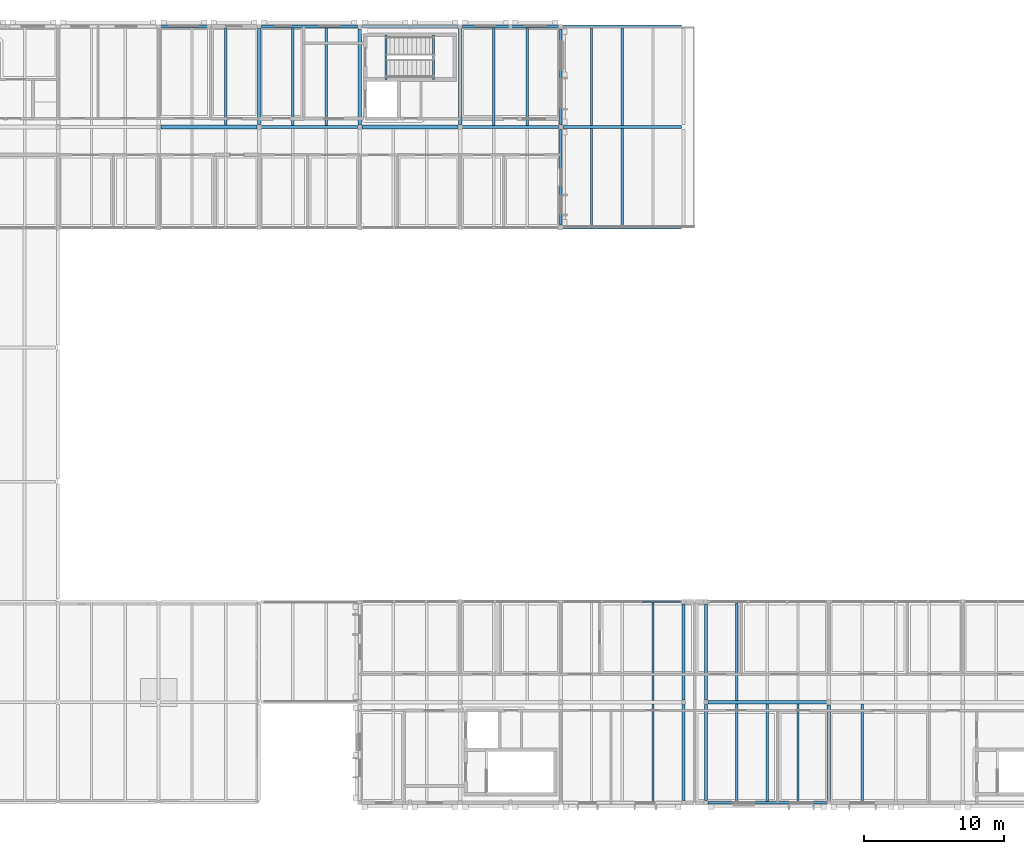
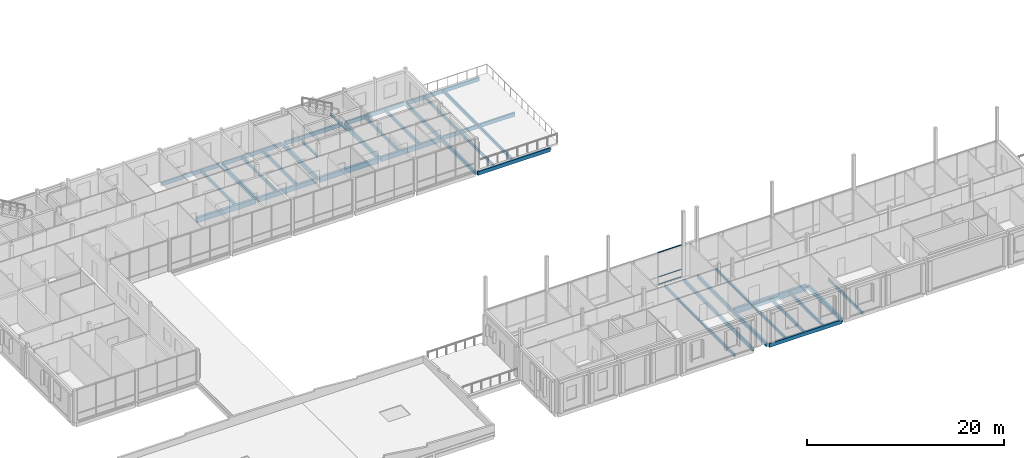
# One storey, part 19 of 57: 41 beams, 3 members, 1 element without a shape of its own.
"""IFC4 building model written with IfcOpenShell, lengths in metres."""

import ifcopenshell
import ifcopenshell.guid

model = None  # the IFC model being written
_history = None  # IfcOwnerHistory: only IFC2X3 demands one
_inside = {}  # id of a spatial element -> (the spatial element, [elements in it])
_under = {}  # id of a project, library or spatial element -> (it, [spatial elements below it])
_declared = {}  # id of a project -> (the project, [libraries it declares])
_typed = {}  # id of a type object -> (the type object, [elements of that type])
_made_of = {}  # id of a material, layer set ... -> (it, [elements and type objects made of it])


def new_model(schema):
    """Start an empty IFC model of exactly this schema.

    Asked for "IFC4X3", IfcOpenShell would pick the latest addendum, in which some entities
    have other attributes; the version numbers below select the first issue.
    IFC2X3 requires an IfcOwnerHistory on every rooted entity: one is made here for all.
    """
    global model, _history
    if schema == "IFC4X3":
        model = ifcopenshell.file(schema_version=(4, 3, 0, 0))
    else:
        model = ifcopenshell.file(schema=schema)
    _inside.clear()
    _under.clear()
    _declared.clear()
    _typed.clear()
    _made_of.clear()
    _history = None
    if model.schema == "IFC2X3":
        org = make("IfcOrganization", Name="unknown")
        user = make(
            "IfcPersonAndOrganization",
            ThePerson=make("IfcPerson", FamilyName="unknown"),
            TheOrganization=org,
        )
        app = make(
            "IfcApplication",
            ApplicationDeveloper=org,
            Version="unknown",
            ApplicationFullName="unknown",
            ApplicationIdentifier="unknown",
        )
        _history = make(
            "IfcOwnerHistory",
            OwningUser=user,
            OwningApplication=app,
            ChangeAction="ADDED",
            CreationDate=0,
        )
    return model


def make(cls, **values):
    """One entity of the class cls with the attributes given. An attribute that is None is left unset."""
    return model.create_entity(
        cls, **{name: value for name, value in values.items() if value is not None}
    )


def rooted(cls, **values):
    """An entity with a GlobalId (a new one), such as an element, a storey or a relation."""
    return make(cls, GlobalId=ifcopenshell.guid.new(), OwnerHistory=_history, **values)


def si_unit(unit_type, name, prefix=None):
    """IfcSIUnit, for example si_unit("LENGTHUNIT", "METRE", prefix="MILLI")."""
    return make("IfcSIUnit", UnitType=unit_type, Prefix=prefix, Name=name)


def assignment(units):
    """IfcUnitAssignment: the units of a project."""
    return None if units is None else make("IfcUnitAssignment", Units=units)


def point(xyz):
    """IfcCartesianPoint."""
    return None if xyz is None else make("IfcCartesianPoint", Coordinates=xyz)


def direction(xyz):
    """IfcDirection."""
    return None if xyz is None else make("IfcDirection", DirectionRatios=xyz)


def frame(location, z_axis=None, x_axis=None):
    """IfcAxis2Placement3D, a coordinate frame: its origin and axes. An axis left out is left unset."""
    return make(
        "IfcAxis2Placement3D",
        Location=point(location),
        Axis=direction(z_axis),
        RefDirection=direction(x_axis),
    )


def frame_2d(location, x_axis=None):
    """IfcAxis2Placement2D, a coordinate frame in the plane: its origin and x axis."""
    return make(
        "IfcAxis2Placement2D", Location=point(location), RefDirection=direction(x_axis)
    )


def origin():
    """The frame at (0, 0, 0) with its axes left unset."""
    return frame((0.0, 0.0, 0.0))


def origin_2d():
    """The frame at (0, 0) in the plane with its x axis left unset."""
    return frame_2d((0.0, 0.0))


def place(relative_to, where):
    """IfcLocalPlacement: puts the frame where relative to a parent placement (None: the world)."""
    return make(
        "IfcLocalPlacement", PlacementRelTo=relative_to, RelativePlacement=where
    )


def context(
    kind, dimensions, precision=None, world=None, true_north=None, identifier=None
):
    """IfcGeometricRepresentationContext, for example the 3D "Model" context."""
    return make(
        "IfcGeometricRepresentationContext",
        ContextIdentifier=identifier,
        ContextType=kind,
        CoordinateSpaceDimension=dimensions,
        Precision=precision,
        WorldCoordinateSystem=world,
        TrueNorth=true_north,
    )


def subcontext(parent, identifier, kind, view, scale=None):
    """IfcGeometricRepresentationSubContext, for example "Body" below "Model"."""
    return make(
        "IfcGeometricRepresentationSubContext",
        ContextIdentifier=identifier,
        ContextType=kind,
        ParentContext=parent,
        TargetScale=scale,
        TargetView=view,
    )


def project(units=None, contexts=None):
    """IfcProject with its units and contexts."""
    return rooted(
        "IfcProject",
        Name="project",
        RepresentationContexts=contexts,
        UnitsInContext=assignment(units),
    )


def spatial(cls, under=None, at=None, **own):
    """A site, building, storey or space (cls), placed at a placement, below another one or the project."""
    s = rooted(cls, ObjectPlacement=at, **own)
    if under is not None:
        _under.setdefault(under.id(), (under, []))[1].append(s)
    return s


def profile(cls, at=None, kind="AREA", **sizes):
    """A parametric profile (cls). Its sizes go by their IFC names, for example OverallWidth=200.0."""
    return make(cls, ProfileType=kind, Position=at, **sizes)


def rectangle(**sizes):
    """IfcRectangleProfileDef."""
    return profile("IfcRectangleProfileDef", **sizes)


def hollow_rectangle(**sizes):
    """IfcRectangleHollowProfileDef."""
    return profile("IfcRectangleHollowProfileDef", **sizes)


def i_section(**sizes):
    """IfcIShapeProfileDef."""
    return profile("IfcIShapeProfileDef", **sizes)


def extrude(swept, where, along, depth):
    """IfcExtrudedAreaSolid: the profile swept, set in the frame where, extruded along a direction by depth."""
    return make(
        "IfcExtrudedAreaSolid",
        SweptArea=swept,
        Position=where,
        ExtrudedDirection=direction(along),
        Depth=depth,
    )


def shape(context_of_items, identifier, shape_type, items):
    """IfcShapeRepresentation: the items that make up one representation, for example the "Body"."""
    return make(
        "IfcShapeRepresentation",
        ContextOfItems=context_of_items,
        RepresentationIdentifier=identifier,
        RepresentationType=shape_type,
        Items=items,
    )


def material(Name=None, Category=None):
    """IfcMaterial."""
    return make("IfcMaterial", Name=Name, Category=Category)


def material_profile(
    of_material, cross_section, Name=None, Category=None, Priority=None
):
    """IfcMaterialProfile: a cross section and its material."""
    return make(
        "IfcMaterialProfile",
        Name=Name,
        Material=of_material,
        Profile=cross_section,
        Priority=Priority,
        Category=Category,
    )


def profile_set(profiles, Name=None, composite=None):
    """IfcMaterialProfileSet."""
    return make(
        "IfcMaterialProfileSet",
        Name=Name,
        MaterialProfiles=profiles,
        CompositeProfile=composite,
    )


def made_of(thing, what):
    """Note that an element or type object is made of a material, layer set ...; save() writes the relation."""
    if what is not None:
        _made_of.setdefault(what.id(), (what, []))[1].append(thing)
    return thing


def type_object(cls, material=None, **own):
    """A type object (cls), such as IfcWallType, which elements share."""
    return made_of(rooted(cls, **own), material)


def element(
    cls,
    number,
    at=None,
    inside=None,
    cuts=None,
    type_object=None,
    material=None,
    context=None,
    identifier="Body",
    shape_type=None,
    held_by="IfcProductDefinitionShape",
    body=None,
    shapes=None,
    **own,
):
    """One element of the class cls, such as IfcWall. Its Tag is "e" and its number.

    at: its placement. inside: the storey or other place that contains it. cuts: it is an
    opening in that element (IfcRelVoidsElement). A single representation is given by context,
    identifier, shape_type and body (its items); several are given by shapes. held_by: the class
    of the entity that holds the representations. save() writes the other relations.
    """
    e = rooted(cls, Tag="e%d" % number, ObjectPlacement=at, **own)
    if body is not None:
        shapes = [shape(context, identifier, shape_type, body)]
    if shapes is not None:
        e.Representation = make(held_by, Representations=shapes)
    if inside is not None:
        _inside.setdefault(inside.id(), (inside, []))[1].append(e)
    if cuts is not None:
        rooted(
            "IfcRelVoidsElement", RelatingBuildingElement=cuts, RelatedOpeningElement=e
        )
    if type_object is not None:
        _typed.setdefault(type_object.id(), (type_object, []))[1].append(e)
    return made_of(e, material)


def aggregate(whole, parts):
    """IfcRelAggregates: a whole, such as a stair, and the parts it consists of."""
    return rooted("IfcRelAggregates", RelatingObject=whole, RelatedObjects=parts)


def save(model, path):
    """Write the relations noted so far, then the file.

    IfcRelAggregates (storeys below a building ...), IfcRelContainedInSpatialStructure (elements
    in a storey), IfcRelDefinesByType, IfcRelAssociatesMaterial and IfcRelDeclares: one each for
    every whole, place, type object, material and project.
    """
    for whole, parts in _under.values():
        aggregate(whole, parts)
    for where, things in _inside.values():
        rooted(
            "IfcRelContainedInSpatialStructure",
            RelatedElements=things,
            RelatingStructure=where,
        )
    for kind, things in _typed.values():
        rooted("IfcRelDefinesByType", RelatedObjects=things, RelatingType=kind)
    for what, things in _made_of.values():
        rooted("IfcRelAssociatesMaterial", RelatedObjects=things, RelatingMaterial=what)
    for by, libraries in _declared.values():
        rooted("IfcRelDeclares", RelatingContext=by, RelatedDefinitions=libraries)
    model.write(path)


model = new_model("IFC4")

# Units and contexts
model_context = context("Model", 3, precision=1e-05, world=origin(), true_north=direction((0.0, 1.0)))
body_context = subcontext(model_context, "Body", "Model", "MODEL_VIEW")
ifc_project = project(units=[si_unit("LENGTHUNIT", "METRE"), si_unit("AREAUNIT", "SQUARE_METRE"), si_unit("VOLUMEUNIT", "CUBIC_METRE"), si_unit("PLANEANGLEUNIT", "RADIAN"), si_unit("MASSUNIT", "GRAM", prefix="KILO")], contexts=[model_context])

# Site, building, storey
site_placement = place(None, origin())
site = spatial("IfcSite", under=ifc_project, at=site_placement, CompositionType="ELEMENT")
building_placement = place(site_placement, origin())
building = spatial("IfcBuilding", under=site, at=building_placement, Name="Hawrajan Terrace Health Centre", CompositionType="ELEMENT")
storey_placement = place(building_placement, frame((0.0, 0.0, 13.199951171875)))
storey = spatial("IfcBuildingStorey", under=building, at=storey_placement, Name="L03", CompositionType="ELEMENT", Elevation=13.199951171875)

# Curtain wall, members
ifc_material_1 = material(Name="Anodized bronze aluminium and low-E solar glazing", Category="aluminium")
curtain_wall_type = type_object("IfcCurtainWallType", Name="CW_Diagnostic_SeriesM2", PredefinedType="USERDEFINED", material=ifc_material_1)
curtain_wall_placement = place(storey_placement, origin())
curtain_wall = element("IfcCurtainWall", 1, at=curtain_wall_placement, inside=storey, type_object=curtain_wall_type, Name="Curtain wall CW-L03-168", ObjectType="UNITISED CURTAIN WALL", PredefinedType="USERDEFINED")
ifc_material_2 = material(Name="Anodized bronze aluminium 6063-T6", Category="aluminium")
ifc_material_profile_1 = material_profile(ifc_material_2, hollow_rectangle(XDim=0.06494140625, YDim=0.1201171875, WallThickness=0.00341796875, at=origin_2d()), Name="CW TRN 65x120")
ifc_profile_set_1 = profile_set([ifc_material_profile_1], Name="Anodized bronze aluminium 6063-T6")
member_type = type_object("IfcMemberType", Name="CWTransom_65x120", PredefinedType="USERDEFINED", material=ifc_profile_set_1)
member_1_placement = place(storey_placement, frame((68.022216796875, 18.60009765625, 0.032470703125), z_axis=(1.0, 0.0, 0.0), x_axis=(0.0, 0.0, 1.0)))
member_1 = element("IfcMember", 2, at=member_1_placement, type_object=member_type, Name="Transom CW-L03-168-T3-1", ObjectType="TRANSOM", PredefinedType="USERDEFINED", context=body_context, shape_type="SweptSolid", body=[
    extrude(hollow_rectangle(XDim=0.06494140625, YDim=0.1201171875, WallThickness=0.00341796875, at=origin_2d()), origin(), (0.0, 0.0, 1.0), 2.7587890625),
])
member_2_placement = place(storey_placement, frame((68.022216796875, 18.60009765625, 0.949951171875), z_axis=(1.0, 0.0, 0.0), x_axis=(0.0, 0.0, 1.0)))
member_2 = element("IfcMember", 3, at=member_2_placement, type_object=member_type, Name="Transom CW-L03-168-T3-2", ObjectType="TRANSOM", PredefinedType="USERDEFINED", context=body_context, shape_type="SweptSolid", body=[
    extrude(hollow_rectangle(XDim=0.06494140625, YDim=0.1201171875, WallThickness=0.00341796875, at=origin_2d()), origin(), (0.0, 0.0, 1.0), 2.7587890625),
])
member_3_placement = place(storey_placement, frame((68.022216796875, 18.60009765625, 3.967529296875), z_axis=(1.0, 0.0, 0.0), x_axis=(0.0, 0.0, 1.0)))
member_3 = element("IfcMember", 4, at=member_3_placement, type_object=member_type, Name="Transom CW-L03-168-T3-3", ObjectType="TRANSOM", PredefinedType="USERDEFINED", context=body_context, shape_type="SweptSolid", body=[
    extrude(hollow_rectangle(XDim=0.06494140625, YDim=0.1201171875, WallThickness=0.00341796875, at=origin_2d()), origin(), (0.0, 0.0, 1.0), 2.7587890625),
])
aggregate(curtain_wall, [member_1, member_2, member_3])

# Beams
ifc_material_3 = material(Name="Glulam GL32h", Category="wood")
ifc_material_profile_2 = material_profile(ifc_material_3, rectangle(XDim=0.239990234375, YDim=0.52001953125, at=origin_2d()), Name="GL BM 240x520")
ifc_profile_set_2 = profile_set([ifc_material_profile_2], Name="Glulam GL32h")
beam_type_1 = type_object("IfcBeamType", Name="GlulamGirder_240x520", PredefinedType="BEAM", material=ifc_profile_set_2)
beam_1_placement = place(storey_placement, frame((40.60009765625, 52.780029296875, -0.469970703125), z_axis=(0.0, 1.0, 0.0), x_axis=(-1.0, 0.0, 0.0)))
element("IfcBeam", 5, at=beam_1_placement, inside=storey, type_object=beam_type_1, Name="Beam BM-Y-L03-W-X06-7", PredefinedType="BEAM", context=body_context, shape_type="SweptSolid", body=[
    extrude(rectangle(XDim=0.239990234375, YDim=0.52001953125, at=origin_2d()), origin(), (0.0, 0.0, 1.0), 6.85986328125),
])
beam_2_placement = place(storey_placement, frame((47.800048828125, 52.760009765625, -0.469970703125), z_axis=(0.0, 1.0, 0.0), x_axis=(-1.0, 0.0, 0.0)))
element("IfcBeam", 6, at=beam_2_placement, inside=storey, type_object=beam_type_1, Name="Beam BM-Y-L03-W-X07-7", PredefinedType="BEAM", context=body_context, shape_type="SweptSolid", body=[
    extrude(rectangle(XDim=0.239990234375, YDim=0.52001953125, at=origin_2d()), origin(), (0.0, 0.0, 1.0), 6.860107421875),
])
for number, where, z_axis, x_axis, name in (
    (7, (55.0, 52.780029296875, -0.469970703125), (0.0, 1.0, 0.0), (-1.0, 0.0, 0.0), "Beam BM-Y-L03-W-X08-7"),
    (8, (81.39990234375, 4.360107421875, -0.469970703125), (0.0, 1.0, 0.0), (-1.0, 0.0, 0.0), "Beam BM-Y-L03-C-X11-1"),
):
    element("IfcBeam", number, at=place(storey_placement, frame(where, z_axis=z_axis, x_axis=x_axis)), inside=storey, type_object=beam_type_1, Name=name, PredefinedType="BEAM", context=body_context, shape_type="SweptSolid", body=[
        extrude(rectangle(XDim=0.239990234375, YDim=0.52001953125, at=origin_2d()), origin(), (0.0, 0.0, 1.0), 6.85986328125),
    ])
ifc_material_profile_3 = material_profile(ifc_material_3, rectangle(XDim=0.239990234375, YDim=0.60009765625, at=origin_2d()), Name="GL BM 240x600")
ifc_profile_set_3 = profile_set([ifc_material_profile_3], Name="Glulam GL32h")
beam_type_2 = type_object("IfcBeamType", Name="GlulamGirder_240x600", PredefinedType="BEAM", material=ifc_profile_set_3)
beam_3_placement = place(storey_placement, frame((40.739990234375, 52.60009765625, -0.510009765625), z_axis=(1.0, 0.0, 0.0), x_axis=(0.0, 1.0, 0.0)))
element("IfcBeam", 9, at=beam_3_placement, inside=storey, type_object=beam_type_2, Name="Beam BM-X-L03-W-06-Y7", PredefinedType="BEAM", context=body_context, shape_type="SweptSolid", body=[
    extrude(rectangle(XDim=0.239990234375, YDim=0.60009765625, at=origin_2d()), origin(), (0.0, 0.0, 1.0), 6.89990234375),
])
beam_4_placement = place(storey_placement, frame((55.139892578125, 52.60009765625, -0.52001953125), z_axis=(1.0, 0.0, 0.0), x_axis=(0.0, 1.0, 0.0)))
element("IfcBeam", 10, at=beam_4_placement, inside=storey, type_object=beam_type_2, Name="Beam BM-X-L03-W-08-Y7", PredefinedType="BEAM", context=body_context, shape_type="SweptSolid", body=[
    extrude(rectangle(XDim=0.239990234375, YDim=0.60009765625, at=origin_2d()), origin(), (0.0, 0.0, 1.0), 6.900146484375),
])
ifc_material_profile_4 = material_profile(ifc_material_3, rectangle(XDim=0.280029296875, YDim=0.639892578125, at=origin_2d()), Name="GL BM 280x640")
ifc_profile_set_4 = profile_set([ifc_material_profile_4], Name="Glulam GL32h")
beam_type_3 = type_object("IfcBeamType", Name="GlulamGirder_280x640", PredefinedType="BEAM", material=ifc_profile_set_4)
beam_5_placement = place(storey_placement, frame((33.56005859375, 52.60009765625, -0.530029296875), z_axis=(1.0, 0.0, 0.0), x_axis=(0.0, 1.0, 0.0)))
element("IfcBeam", 11, at=beam_5_placement, inside=storey, type_object=beam_type_3, Name="Beam BM-X-L03-W-05-Y7", PredefinedType="BEAM", context=body_context, shape_type="SweptSolid", body=[
    extrude(rectangle(XDim=0.280029296875, YDim=0.639892578125, at=origin_2d()), origin(), (0.0, 0.0, 1.0), 6.89990234375),
])
beam_6_placement = place(storey_placement, frame((47.9599609375, 52.60009765625, -0.530029296875), z_axis=(1.0, 0.0, 0.0), x_axis=(0.0, 1.0, 0.0)))
element("IfcBeam", 12, at=beam_6_placement, inside=storey, type_object=beam_type_3, Name="Beam BM-X-L03-W-07-Y7", PredefinedType="BEAM", context=body_context, shape_type="SweptSolid", body=[
    extrude(rectangle(XDim=0.280029296875, YDim=0.639892578125, at=origin_2d()), origin(), (0.0, 0.0, 1.0), 6.900146484375),
])
ifc_material_profile_5 = material_profile(ifc_material_3, rectangle(XDim=0.280029296875, YDim=0.719970703125, at=origin_2d()), Name="GL BM 280x720")
ifc_profile_set_5 = profile_set([ifc_material_profile_5], Name="Glulam GL32h")
beam_type_4 = type_object("IfcBeamType", Name="GlulamGirder_280x720", PredefinedType="BEAM", material=ifc_profile_set_5)
beam_7_placement = place(storey_placement, frame((72.760009765625, 11.39990234375, -0.570068359375), z_axis=(1.0, 0.0, 0.0), x_axis=(0.0, 1.0, 0.0)))
element("IfcBeam", 13, at=beam_7_placement, inside=storey, type_object=beam_type_4, Name="Beam BM-X-L03-C-10-Y2", PredefinedType="BEAM", context=body_context, shape_type="SweptSolid", body=[
    extrude(rectangle(XDim=0.280029296875, YDim=0.719970703125, at=origin_2d()), origin(), (0.0, 0.0, 1.0), 8.5),
])
ifc_material_4 = material(Name="Glulam GL28h", Category="wood")
ifc_material_profile_6 = material_profile(ifc_material_4, rectangle(XDim=0.159912109375, YDim=0.360107421875, at=origin_2d()), Name="GL JST 160x360")
ifc_profile_set_6 = profile_set([ifc_material_profile_6], Name="Glulam GL28h")
beam_type_5 = type_object("IfcBeamType", Name="GlulamJoist_160x360", PredefinedType="JOIST", material=ifc_profile_set_6)
for number, where, z_axis, x_axis, name in (
    (14, (43.0, 52.719970703125, -0.389892578125), (0.0, 1.0, 0.0), (-1.0, 0.0, 0.0), "Secondary joist JST-L03-W-06-7-1"),
    (15, (57.39990234375, 52.719970703125, -0.39990234375), (0.0, 1.0, 0.0), (-1.0, 0.0, 0.0), "Secondary joist JST-L03-W-08-7-1"),
):
    element("IfcBeam", number, at=place(storey_placement, frame(where, z_axis=z_axis, x_axis=x_axis)), inside=storey, type_object=beam_type_5, Name=name, PredefinedType="JOIST", context=body_context, shape_type="SweptSolid", body=[
        extrude(rectangle(XDim=0.159912109375, YDim=0.360107421875, at=origin_2d()), origin(), (0.0, 0.0, 1.0), 6.97998046875),
    ])
for number, where, z_axis, x_axis, name in (
    (16, (68.800048828125, 4.300048828125, -0.389892578125), (0.0, 1.0, 0.0), (-1.0, 0.0, 0.0), "Secondary joist JST-L03-W-09-1-3"),
    (17, (68.800048828125, 11.5400390625, -0.389892578125), (0.0, 1.0, 0.0), (-1.0, 0.0, 0.0), "Secondary joist JST-L03-W-09-2-3"),
):
    element("IfcBeam", number, at=place(storey_placement, frame(where, z_axis=z_axis, x_axis=x_axis)), inside=storey, type_object=beam_type_5, Name=name, PredefinedType="JOIST", context=body_context, shape_type="SweptSolid", body=[
        extrude(rectangle(XDim=0.159912109375, YDim=0.360107421875, at=origin_2d()), origin(), (0.0, 0.0, 1.0), 6.9599609375),
    ])
for number, where, z_axis, x_axis, name in (
    (18, (64.39990234375, 45.5, -0.39990234375), (0.0, 1.0, 0.0), (-1.0, 0.0, 0.0), "Secondary joist JST-L03-W-09-6-1"),
    (19, (64.39990234375, 52.699951171875, -0.39990234375), (0.0, 1.0, 0.0), (-1.0, 0.0, 0.0), "Secondary joist JST-L03-W-09-7-1"),
):
    element("IfcBeam", number, at=place(storey_placement, frame(where, z_axis=z_axis, x_axis=x_axis)), inside=storey, type_object=beam_type_5, Name=name, PredefinedType="JOIST", context=body_context, shape_type="SweptSolid", body=[
        extrude(rectangle(XDim=0.159912109375, YDim=0.360107421875, at=origin_2d()), origin(), (0.0, 0.0, 1.0), 7.0),
    ])
for number, where, z_axis, x_axis, name in (
    (20, (74.800048828125, 4.300048828125, -0.389892578125), (0.0, 1.0, 0.0), (-1.0, 0.0, 0.0), "Secondary joist JST-L03-C-10-1-1"),
    (21, (79.199951171875, 4.300048828125, -0.389892578125), (0.0, 1.0, 0.0), (-1.0, 0.0, 0.0), "Secondary joist JST-L03-C-10-1-3"),
    (22, (74.800048828125, 11.5400390625, -0.389892578125), (0.0, 1.0, 0.0), (-1.0, 0.0, 0.0), "Secondary joist JST-L03-C-10-2-1"),
    (23, (83.800048828125, 4.300048828125, -0.389892578125), (0.0, 1.0, 0.0), (-1.0, 0.0, 0.0), "Secondary joist JST-L03-C-11-1-1"),
):
    element("IfcBeam", number, at=place(storey_placement, frame(where, z_axis=z_axis, x_axis=x_axis)), inside=storey, type_object=beam_type_5, Name=name, PredefinedType="JOIST", context=body_context, shape_type="SweptSolid", body=[
        extrude(rectangle(XDim=0.159912109375, YDim=0.360107421875, at=origin_2d()), origin(), (0.0, 0.0, 1.0), 6.9599609375),
    ])
ifc_material_profile_7 = material_profile(ifc_material_4, rectangle(XDim=0.179931640625, YDim=0.39990234375, at=origin_2d()), Name="GL JST 180x400")
ifc_profile_set_7 = profile_set([ifc_material_profile_7], Name="Glulam GL28h")
beam_type_6 = type_object("IfcBeamType", Name="GlulamJoist_180x400", PredefinedType="JOIST", material=ifc_profile_set_7)
beam_8_placement = place(storey_placement, frame((38.199951171875, 52.739990234375, -0.409912109375), z_axis=(0.0, 1.0, 0.0), x_axis=(-1.0, 0.0, 0.0)))
element("IfcBeam", 24, at=beam_8_placement, inside=storey, type_object=beam_type_6, Name="Secondary joist JST-L03-W-05-7-2", PredefinedType="JOIST", context=body_context, shape_type="SweptSolid", body=[
    extrude(rectangle(XDim=0.179931640625, YDim=0.39990234375, at=origin_2d()), origin(), (0.0, 0.0, 1.0), 6.9599609375),
])
for number, where, z_axis, x_axis, name in (
    (25, (45.39990234375, 52.719970703125, -0.409912109375), (0.0, 1.0, 0.0), (-1.0, 0.0, 0.0), "Secondary joist JST-L03-W-06-7-2"),
    (26, (59.800048828125, 52.719970703125, -0.419921875), (0.0, 1.0, 0.0), (-1.0, 0.0, 0.0), "Secondary joist JST-L03-W-08-7-2"),
):
    element("IfcBeam", number, at=place(storey_placement, frame(where, z_axis=z_axis, x_axis=x_axis)), inside=storey, type_object=beam_type_6, Name=name, PredefinedType="JOIST", context=body_context, shape_type="SweptSolid", body=[
        extrude(rectangle(XDim=0.179931640625, YDim=0.39990234375, at=origin_2d()), origin(), (0.0, 0.0, 1.0), 6.97998046875),
    ])
for number, where, z_axis, x_axis, name in (
    (27, (66.60009765625, 45.5, -0.419921875), (0.0, 1.0, 0.0), (-1.0, 0.0, 0.0), "Secondary joist JST-L03-W-09-6-2"),
    (28, (66.60009765625, 52.699951171875, -0.419921875), (0.0, 1.0, 0.0), (-1.0, 0.0, 0.0), "Secondary joist JST-L03-W-09-7-2"),
):
    element("IfcBeam", number, at=place(storey_placement, frame(where, z_axis=z_axis, x_axis=x_axis)), inside=storey, type_object=beam_type_6, Name=name, PredefinedType="JOIST", context=body_context, shape_type="SweptSolid", body=[
        extrude(rectangle(XDim=0.179931640625, YDim=0.39990234375, at=origin_2d()), origin(), (0.0, 0.0, 1.0), 7.0),
    ])
beam_9_placement = place(storey_placement, frame((77.0, 4.300048828125, -0.409912109375), z_axis=(0.0, 1.0, 0.0), x_axis=(-1.0, 0.0, 0.0)))
element("IfcBeam", 29, at=beam_9_placement, inside=storey, type_object=beam_type_6, Name="Secondary joist JST-L03-C-10-1-2", PredefinedType="JOIST", context=body_context, shape_type="SweptSolid", body=[
    extrude(rectangle(XDim=0.179931640625, YDim=0.39990234375, at=origin_2d()), origin(), (0.0, 0.0, 1.0), 6.9599609375),
])
ifc_material_profile_8 = material_profile(ifc_material_3, rectangle(XDim=0.199951171875, YDim=0.4599609375, at=origin_2d()), Name="GL SP 200x460")
ifc_profile_set_8 = profile_set([ifc_material_profile_8], Name="Glulam GL32h")
beam_type_7 = type_object("IfcBeamType", Name="GlulamSpandrel_200x460", PredefinedType="SPANDREL", material=ifc_profile_set_8)
for number, where, z_axis, x_axis, name in (
    (30, (33.5400390625, 59.800048828125, -0.43994140625), (1.0, 0.0, 0.0), (0.0, 1.0, 0.0), "Beam BM-X-L03-W-05-Y8"),
    (31, (40.760009765625, 59.800048828125, -0.43994140625), (1.0, 0.0, 0.0), (0.0, 1.0, 0.0), "Beam BM-X-L03-W-06-Y8"),
):
    element("IfcBeam", number, at=place(storey_placement, frame(where, z_axis=z_axis, x_axis=x_axis)), inside=storey, type_object=beam_type_7, Name=name, PredefinedType="SPANDREL", context=body_context, shape_type="SweptSolid", body=[
        extrude(rectangle(XDim=0.199951171875, YDim=0.4599609375, at=origin_2d()), origin(), (0.0, 0.0, 1.0), 6.89990234375),
    ])
for number, where, z_axis, x_axis, name in (
    (32, (47.93994140625, 59.800048828125, -0.43994140625), (1.0, 0.0, 0.0), (0.0, 1.0, 0.0), "Beam BM-X-L03-W-07-Y8"),
    (33, (55.159912109375, 59.800048828125, -0.449951171875), (1.0, 0.0, 0.0), (0.0, 1.0, 0.0), "Beam BM-X-L03-W-08-Y8"),
):
    element("IfcBeam", number, at=place(storey_placement, frame(where, z_axis=z_axis, x_axis=x_axis)), inside=storey, type_object=beam_type_7, Name=name, PredefinedType="SPANDREL", context=body_context, shape_type="SweptSolid", body=[
        extrude(rectangle(XDim=0.199951171875, YDim=0.4599609375, at=origin_2d()), origin(), (0.0, 0.0, 1.0), 6.900146484375),
    ])
for number, where, z_axis, x_axis, name in (
    (34, (62.340087890625, 45.39990234375, -0.449951171875), (1.0, 0.0, 0.0), (0.0, 1.0, 0.0), "Beam BM-X-L03-W-09-Y6"),
    (35, (62.360107421875, 52.60009765625, -0.449951171875), (1.0, 0.0, 0.0), (0.0, 1.0, 0.0), "Beam BM-X-L03-W-09-Y7"),
    (36, (62.340087890625, 59.800048828125, -0.449951171875), (1.0, 0.0, 0.0), (0.0, 1.0, 0.0), "Beam BM-X-L03-W-09-Y8"),
):
    element("IfcBeam", number, at=place(storey_placement, frame(where, z_axis=z_axis, x_axis=x_axis)), inside=storey, type_object=beam_type_7, Name=name, PredefinedType="SPANDREL", context=body_context, shape_type="SweptSolid", body=[
        extrude(rectangle(XDim=0.199951171875, YDim=0.4599609375, at=origin_2d()), origin(), (0.0, 0.0, 1.0), 8.5),
    ])
beam_10_placement = place(storey_placement, frame((62.199951171875, 45.580078125, -0.449951171875), z_axis=(0.0, 1.0, 0.0), x_axis=(-1.0, 0.0, 0.0)))
element("IfcBeam", 37, at=beam_10_placement, inside=storey, type_object=beam_type_7, Name="Beam BM-Y-L03-W-X09-6", PredefinedType="SPANDREL", context=body_context, shape_type="SweptSolid", body=[
    extrude(rectangle(XDim=0.199951171875, YDim=0.4599609375, at=origin_2d()), origin(), (0.0, 0.0, 1.0), 6.85986328125),
])
for number, where, z_axis, x_axis, name in (
    (38, (62.199951171875, 52.760009765625, -0.449951171875), (0.0, 1.0, 0.0), (-1.0, 0.0, 0.0), "Beam BM-Y-L03-W-X09-7"),
    (39, (71.0, 4.3798828125, -0.43994140625), (0.0, 1.0, 0.0), (-1.0, 0.0, 0.0), "Beam BM-Y-L03-W-X10-1"),
):
    element("IfcBeam", number, at=place(storey_placement, frame(where, z_axis=z_axis, x_axis=x_axis)), inside=storey, type_object=beam_type_7, Name=name, PredefinedType="SPANDREL", context=body_context, shape_type="SweptSolid", body=[
        extrude(rectangle(XDim=0.199951171875, YDim=0.4599609375, at=origin_2d()), origin(), (0.0, 0.0, 1.0), 6.860107421875),
    ])
beam_11_placement = place(storey_placement, frame((71.0, 11.56005859375, -0.43994140625), z_axis=(0.0, 1.0, 0.0), x_axis=(-1.0, 0.0, 0.0)))
element("IfcBeam", 40, at=beam_11_placement, inside=storey, type_object=beam_type_7, Name="Beam BM-Y-L03-W-X10-2", PredefinedType="SPANDREL", context=body_context, shape_type="SweptSolid", body=[
    extrude(rectangle(XDim=0.199951171875, YDim=0.4599609375, at=origin_2d()), origin(), (0.0, 0.0, 1.0), 6.85986328125),
])
beam_12_placement = place(storey_placement, frame((72.739990234375, 4.199951171875, -0.43994140625), z_axis=(1.0, 0.0, 0.0), x_axis=(0.0, 1.0, 0.0)))
element("IfcBeam", 41, at=beam_12_placement, inside=storey, type_object=beam_type_7, Name="Beam BM-X-L03-C-10-Y1", PredefinedType="SPANDREL", context=body_context, shape_type="SweptSolid", body=[
    extrude(rectangle(XDim=0.199951171875, YDim=0.4599609375, at=origin_2d()), origin(), (0.0, 0.0, 1.0), 8.5),
])
beam_13_placement = place(storey_placement, frame((72.60009765625, 4.3798828125, -0.43994140625), z_axis=(0.0, 1.0, 0.0), x_axis=(-1.0, 0.0, 0.0)))
element("IfcBeam", 42, at=beam_13_placement, inside=storey, type_object=beam_type_7, Name="Beam BM-Y-L03-C-X10-1", PredefinedType="SPANDREL", context=body_context, shape_type="SweptSolid", body=[
    extrude(rectangle(XDim=0.199951171875, YDim=0.4599609375, at=origin_2d()), origin(), (0.0, 0.0, 1.0), 6.860107421875),
])
beam_14_placement = place(storey_placement, frame((72.60009765625, 11.56005859375, -0.43994140625), z_axis=(0.0, 1.0, 0.0), x_axis=(-1.0, 0.0, 0.0)))
element("IfcBeam", 43, at=beam_14_placement, inside=storey, type_object=beam_type_7, Name="Beam BM-Y-L03-C-X10-2", PredefinedType="SPANDREL", context=body_context, shape_type="SweptSolid", body=[
    extrude(rectangle(XDim=0.199951171875, YDim=0.4599609375, at=origin_2d()), origin(), (0.0, 0.0, 1.0), 6.85986328125),
])
ifc_material_5 = material(Name="Steel S355", Category="steel")
ifc_material_profile_9 = material_profile(ifc_material_5, i_section(OverallWidth=0.14990234375, OverallDepth=0.300048828125, WebThickness=0.007080078125, FlangeThickness=0.0107421875, FilletRadius=0.014892578125, at=origin_2d()), Name="IPE 300")
ifc_profile_set_9 = profile_set([ifc_material_profile_9], Name="Steel S355")
beam_type_8 = type_object("IfcBeamType", Name="SteelBeam_IPE300", PredefinedType="JOIST", material=ifc_profile_set_9)
for number, where, z_axis, x_axis, name in (
    (44, (49.699951171875, 56.0, -0.369873046875), (0.0, 1.0, 0.0), (-1.0, 0.0, 0.0), "Stair landing trimmer ST-2-L03-B0"),
    (45, (53.10009765625, 56.0, 1.72998046875), (0.0, 1.0, 0.0), (-1.0, 0.0, 0.0), "Stair half-landing trimmer ST-2-L03-B1"),
):
    element("IfcBeam", number, at=place(storey_placement, frame(where, z_axis=z_axis, x_axis=x_axis)), inside=storey, type_object=beam_type_8, Name=name, PredefinedType="JOIST", context=body_context, shape_type="SweptSolid", body=[
        extrude(i_section(OverallWidth=0.14990234375, OverallDepth=0.300048828125, WebThickness=0.007080078125, FlangeThickness=0.0107421875, FilletRadius=0.014892578125, at=origin_2d()), origin(), (0.0, 0.0, 1.0), 3.199951171875),
    ])

save(model, "model.ifc")
